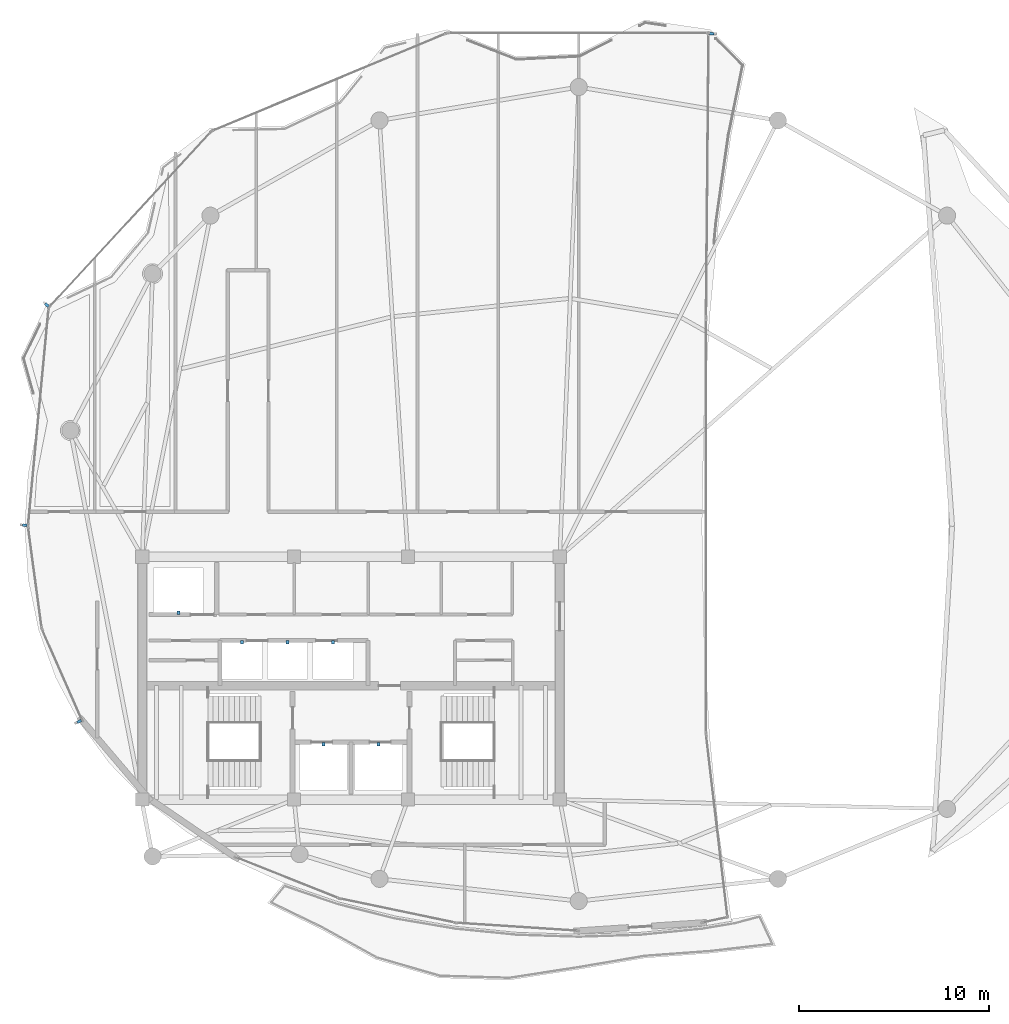
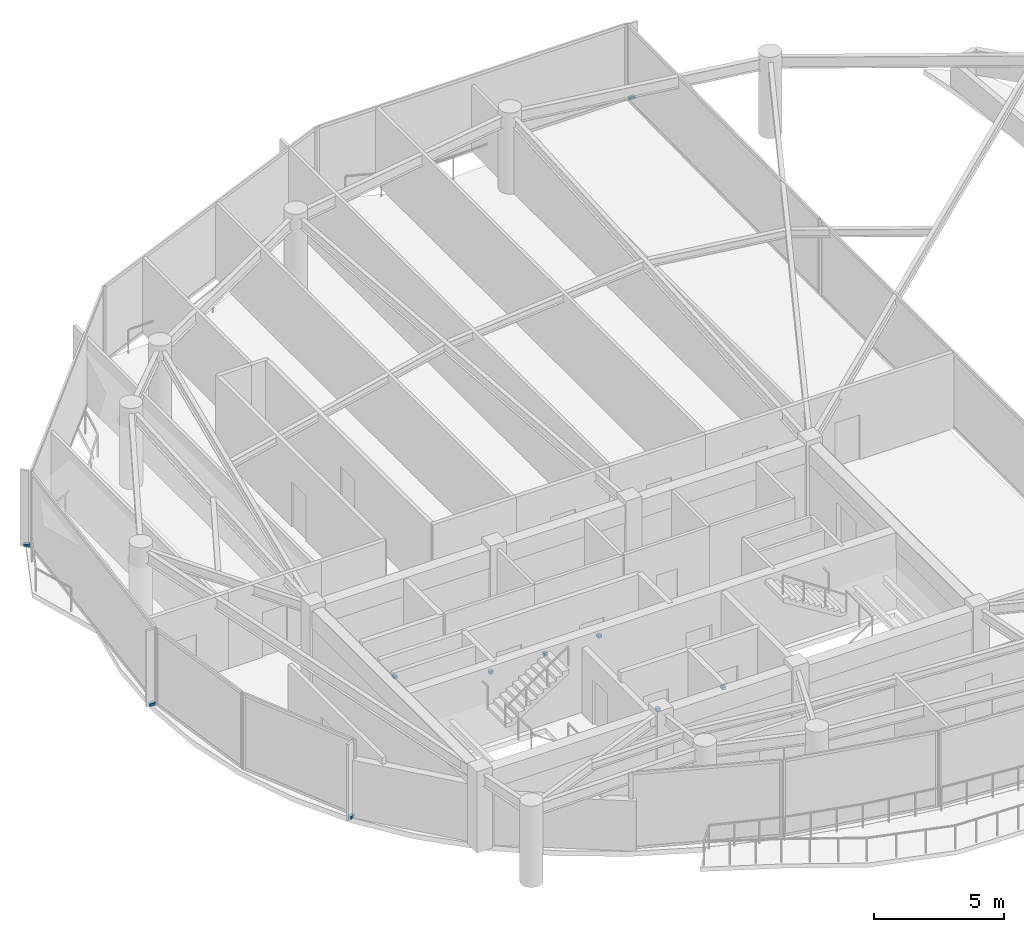
# One storey, part 21 of 23: 10 discrete accessories.
"""IFC4 building model written with IfcOpenShell, lengths in metres."""

from ifc_helpers import new_model, si_unit, direction, frame, origin, origin_2d, place, context, subcontext, project, spatial, rectangle, extrude, material, type_object, element, save


model = new_model("IFC4")

# Units and contexts
model_context = context("Model", 3, precision=1e-05, world=origin(), true_north=direction((0.0, 1.0)))
body_context = subcontext(model_context, "Body", "Model", "MODEL_VIEW")
ifc_project = project(units=[si_unit("LENGTHUNIT", "METRE"), si_unit("AREAUNIT", "SQUARE_METRE"), si_unit("VOLUMEUNIT", "CUBIC_METRE"), si_unit("PLANEANGLEUNIT", "RADIAN"), si_unit("MASSUNIT", "GRAM", prefix="KILO")], contexts=[model_context])

# Site, building, storey
site_placement = place(None, origin())
site = spatial("IfcSite", under=ifc_project, at=site_placement, CompositionType="ELEMENT")
building_placement = place(site_placement, origin())
building = spatial("IfcBuilding", under=site, at=building_placement, Name="Kazevale Care Tower and Concert Hall", CompositionType="ELEMENT")
storey_placement = place(building_placement, frame((0.0, 0.0, 270.0)))
storey = spatial("IfcBuildingStorey", under=building, at=storey_placement, Name="L71", CompositionType="ELEMENT", Elevation=270.0)

# Discrete accessories
ifc_material = material(Name="Stainless Steel 316", Category="steel")
discrete_accessory_type_1 = type_object("IfcDiscreteAccessoryType", Name="Facade Fin Stainless Anchor Bracket BRK-1", PredefinedType="BRACKET", material=ifc_material)
for number, where, z_axis, x_axis, name in (
    (1, (18.67333984375, 27.718994140625, 0.0), (0.0, 0.0, 1.0), (-0.91495966785, -0.403545296352, 0.0), "cw:L71:f07:brk"),
    (2, (15.814453125, 38.055908203125, 0.0), (0.0, 0.0, 1.0), (-0.995545524441, 0.094282070226, 0.0), "cw:L71:f09:brk"),
    (3, (16.97216796875, 49.65966796875, 0.0), (0.0, 0.0, 1.0), (-0.735269577966, 0.677774776543, 0.0), "cw:L71:f10:brk"),
    (4, (52.0166015625, 63.965576171875, 0.0), (0.0, 0.0, 1.0), (0.999960384766, -0.008901061644, 0.0), "cw:L71:f13:brk"),
):
    element("IfcDiscreteAccessory", number, at=place(storey_placement, frame(where, z_axis=z_axis, x_axis=x_axis)), inside=storey, type_object=discrete_accessory_type_1, Name=name, PredefinedType="BRACKET", context=body_context, shape_type="SweptSolid", body=[
        extrude(rectangle(XDim=0.239990234375, YDim=0.139892578125, at=origin_2d()), origin(), (0.0, 0.0, 1.0), 0.1201171875),
    ])
discrete_accessory_type_2 = type_object("IfcDiscreteAccessoryType", Name="Hoistway Guide-Rail Wall Bracket HBRK-1", PredefinedType="BRACKET", material=ifc_material)
for number, where, z_axis, x_axis, name in (
    (5, (31.550048828125, 26.52001953125, 1.239990234375), (0.0, 0.0, 1.0), (1.0, 0.0, 0.0), "hbrk:FFL-1:L71"),
    (6, (34.449951171875, 26.52001953125, 1.239990234375), (0.0, 0.0, 1.0), (1.0, 0.0, 0.0), "hbrk:FFL-2:L71"),
    (7, (23.89990234375, 33.449951171875, 1.239990234375), (0.0, 0.0, 1.0), (1.0, 0.0, 0.0), "hbrk:SVL-1:L71"),
    (8, (27.25, 31.8798828125, 1.239990234375), (0.0, 0.0, 1.0), (1.0, 0.0, 0.0), "hbrk:PH-1:L71"),
    (9, (29.64990234375, 31.8798828125, 1.239990234375), (0.0, 0.0, 1.0), (1.0, 0.0, 0.0), "hbrk:PH-2:L71"),
    (10, (32.050048828125, 31.8798828125, 1.239990234375), (0.0, 0.0, 1.0), (1.0, 0.0, 0.0), "hbrk:PH-3:L71"),
):
    element("IfcDiscreteAccessory", number, at=place(storey_placement, frame(where, z_axis=z_axis, x_axis=x_axis)), inside=storey, type_object=discrete_accessory_type_2, Name=name, PredefinedType="BRACKET", context=body_context, shape_type="SweptSolid", body=[
        extrude(rectangle(XDim=0.159912109375, YDim=0.179931640625, at=origin_2d()), origin(), (0.0, 0.0, 1.0), 0.1201171875),
    ])

save(model, "model.ifc")
